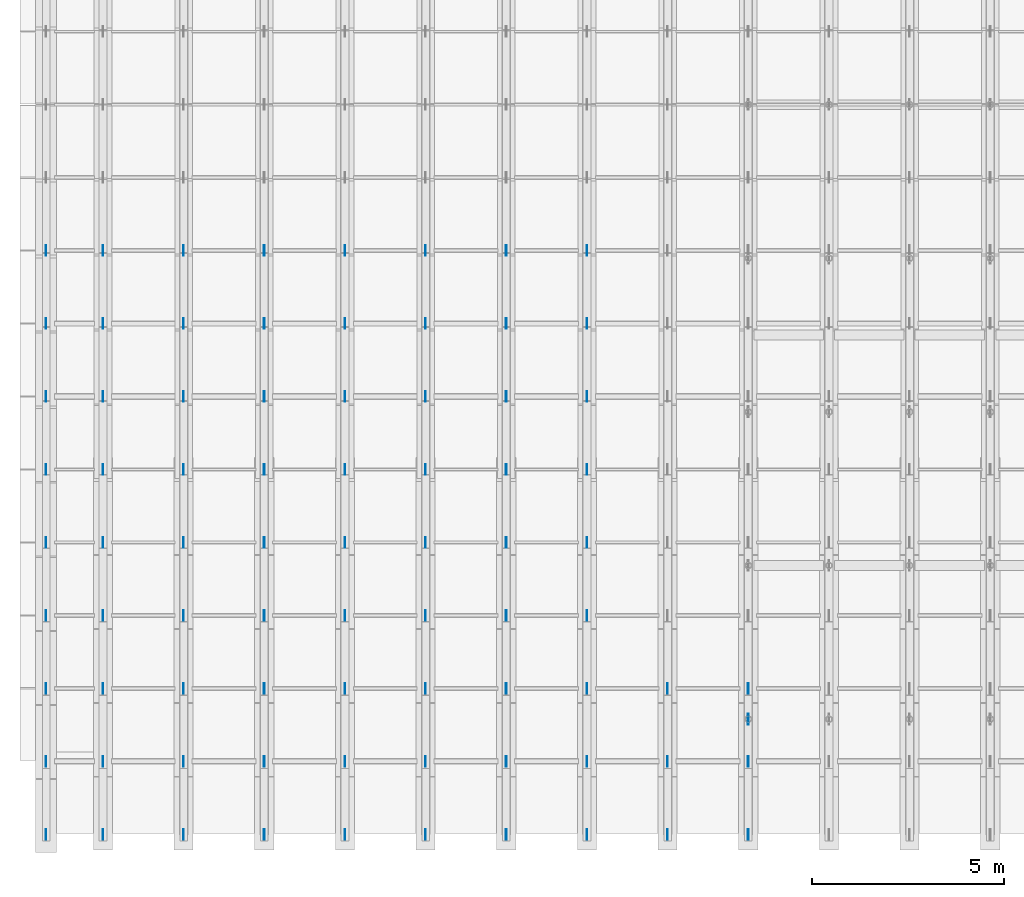
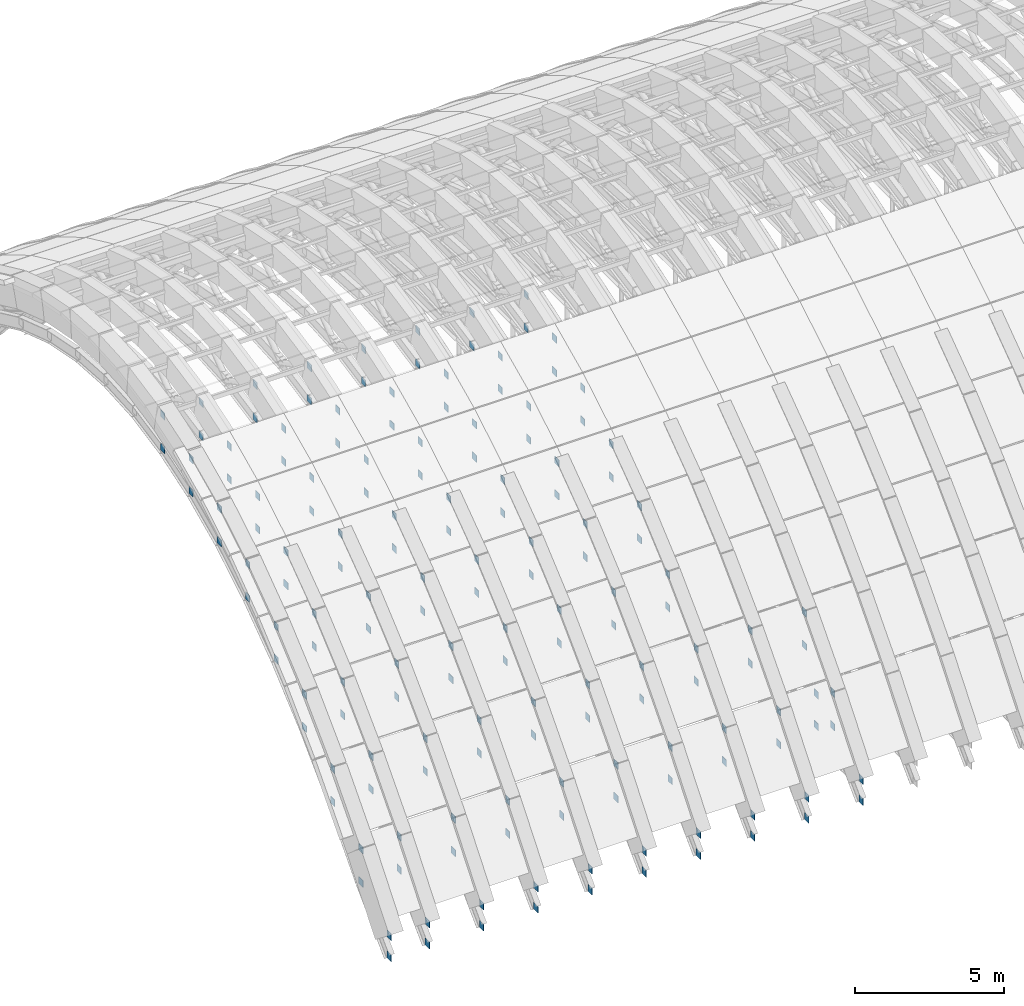
# One storey, part 58 of 67: 158 plates.
"""IFC4 building model written with IfcOpenShell, lengths in metres."""

from ifc_helpers import new_model, si_unit, direction, frame, origin, origin_2d, place, context, subcontext, project, spatial, rectangle, extrude, material, layer, layer_set, type_object, element, save


model = new_model("IFC4")

# Units and contexts
model_context = context("Model", 3, precision=1e-05, world=origin(), true_north=direction((0.0, 1.0)))
body_context = subcontext(model_context, "Body", "Model", "MODEL_VIEW")
ifc_project = project(units=[si_unit("LENGTHUNIT", "METRE"), si_unit("AREAUNIT", "SQUARE_METRE"), si_unit("VOLUMEUNIT", "CUBIC_METRE"), si_unit("PLANEANGLEUNIT", "RADIAN"), si_unit("MASSUNIT", "GRAM", prefix="KILO")], contexts=[model_context])

# Site, building, storey
site_placement = place(None, origin())
site = spatial("IfcSite", under=ifc_project, at=site_placement, CompositionType="ELEMENT")
building_placement = place(site_placement, origin())
building = spatial("IfcBuilding", under=site, at=building_placement, Name="Shengluoqiao Park Theatre", CompositionType="ELEMENT")
storey_placement = place(building_placement, frame((0.0, 0.0, 28.60009765625)))
storey = spatial("IfcBuildingStorey", under=building, at=storey_placement, Name="Roof", CompositionType="ELEMENT", Elevation=28.60009765625)

# Plates
ifc_material = material(Name="Steel Q355", Category="steel")
ifc_layer = layer(ifc_material, 0.013916015625, Name="Steel Q355")
ifc_layer_set = layer_set([ifc_layer], Name="Steel Q355")
plate_type = type_object("IfcPlateType", Name="STR-PLT-EC-280", PredefinedType="SHEET", material=ifc_layer_set)
for number, where, z_axis, x_axis, name in (
    (1, (45.02001953125, 76.0, -10.16015625), (0.0, 0.0, 1.0), (1.0, 0.0, 0.0), "Arch Truss Node Gusset Plate R01-U00"),
    (2, (45.02001953125, 76.0, -11.02001953125), (0.0, 0.0, 1.0), (1.0, 0.0, 0.0), "Arch Truss Node Gusset Plate R01-L00"),
    (3, (45.02001953125, 77.89990234375, -7.76611328125), (0.0, 0.0, 1.0), (1.0, 0.0, 0.0), "Arch Truss Node Gusset Plate R01-U01"),
    (4, (45.02001953125, 77.89990234375, -9.1259765625), (0.0, 0.0, 1.0), (1.0, 0.0, 0.0), "Arch Truss Node Gusset Plate R01-L01"),
    (5, (45.02001953125, 79.800048828125, -5.6240234375), (0.0, 0.0, 1.0), (1.0, 0.0, 0.0), "Arch Truss Node Gusset Plate R01-U02"),
    (6, (45.02001953125, 79.800048828125, -6.98388671875), (0.0, 0.0, 1.0), (1.0, 0.0, 0.0), "Arch Truss Node Gusset Plate R01-L02"),
    (7, (45.02001953125, 81.699951171875, -3.73388671875), (0.0, 0.0, 1.0), (1.0, 0.0, 0.0), "Arch Truss Node Gusset Plate R01-U03"),
    (8, (45.02001953125, 81.699951171875, -5.09423828125), (0.0, 0.0, 1.0), (1.0, 0.0, 0.0), "Arch Truss Node Gusset Plate R01-L03"),
    (9, (45.02001953125, 83.60009765625, -2.09619140625), (0.0, 0.0, 1.0), (1.0, 0.0, 0.0), "Arch Truss Node Gusset Plate R01-U04"),
    (10, (45.02001953125, 83.60009765625, -3.4560546875), (0.0, 0.0, 1.0), (1.0, 0.0, 0.0), "Arch Truss Node Gusset Plate R01-L04"),
    (11, (45.02001953125, 85.5, -0.7099609375), (0.0, 0.0, 1.0), (1.0, 0.0, 0.0), "Arch Truss Node Gusset Plate R01-U05"),
    (12, (45.02001953125, 85.5, -2.0703125), (0.0, 0.0, 1.0), (1.0, 0.0, 0.0), "Arch Truss Node Gusset Plate R01-L05"),
    (13, (45.02001953125, 87.39990234375, 0.423828125), (0.0, 0.0, 1.0), (1.0, 0.0, 0.0), "Arch Truss Node Gusset Plate R01-U06"),
    (14, (45.02001953125, 87.39990234375, -0.93603515625), (0.0, 0.0, 1.0), (1.0, 0.0, 0.0), "Arch Truss Node Gusset Plate R01-L06"),
    (15, (45.02001953125, 89.300048828125, 1.3056640625), (0.0, 0.0, 1.0), (1.0, 0.0, 0.0), "Arch Truss Node Gusset Plate R01-U07"),
    (16, (45.02001953125, 89.300048828125, -0.05419921875), (0.0, 0.0, 1.0), (1.0, 0.0, 0.0), "Arch Truss Node Gusset Plate R01-L07"),
    (17, (45.02001953125, 91.199951171875, 1.93603515625), (0.0, 0.0, 1.0), (1.0, 0.0, 0.0), "Arch Truss Node Gusset Plate R01-U08"),
    (18, (45.02001953125, 91.199951171875, 0.57568359375), (0.0, 0.0, 1.0), (1.0, 0.0, 0.0), "Arch Truss Node Gusset Plate R01-L08"),
    (19, (46.5, 76.0, -10.16015625), (0.0, 0.0, 1.0), (1.0, 0.0, 0.0), "Arch Truss Node Gusset Plate R02-U00"),
    (20, (46.5, 76.0, -11.02001953125), (0.0, 0.0, 1.0), (1.0, 0.0, 0.0), "Arch Truss Node Gusset Plate R02-L00"),
    (21, (46.5, 77.89990234375, -7.76611328125), (0.0, 0.0, 1.0), (1.0, 0.0, 0.0), "Arch Truss Node Gusset Plate R02-U01"),
    (22, (46.5, 77.89990234375, -9.1259765625), (0.0, 0.0, 1.0), (1.0, 0.0, 0.0), "Arch Truss Node Gusset Plate R02-L01"),
    (23, (46.5, 79.800048828125, -5.6240234375), (0.0, 0.0, 1.0), (1.0, 0.0, 0.0), "Arch Truss Node Gusset Plate R02-U02"),
    (24, (46.5, 79.800048828125, -6.98388671875), (0.0, 0.0, 1.0), (1.0, 0.0, 0.0), "Arch Truss Node Gusset Plate R02-L02"),
    (25, (46.5, 81.699951171875, -3.73388671875), (0.0, 0.0, 1.0), (1.0, 0.0, 0.0), "Arch Truss Node Gusset Plate R02-U03"),
    (26, (46.5, 81.699951171875, -5.09423828125), (0.0, 0.0, 1.0), (1.0, 0.0, 0.0), "Arch Truss Node Gusset Plate R02-L03"),
    (27, (46.5, 83.60009765625, -2.09619140625), (0.0, 0.0, 1.0), (1.0, 0.0, 0.0), "Arch Truss Node Gusset Plate R02-U04"),
    (28, (46.5, 83.60009765625, -3.4560546875), (0.0, 0.0, 1.0), (1.0, 0.0, 0.0), "Arch Truss Node Gusset Plate R02-L04"),
    (29, (46.5, 85.5, -0.7099609375), (0.0, 0.0, 1.0), (1.0, 0.0, 0.0), "Arch Truss Node Gusset Plate R02-U05"),
    (30, (46.5, 85.5, -2.0703125), (0.0, 0.0, 1.0), (1.0, 0.0, 0.0), "Arch Truss Node Gusset Plate R02-L05"),
    (31, (46.5, 87.39990234375, 0.423828125), (0.0, 0.0, 1.0), (1.0, 0.0, 0.0), "Arch Truss Node Gusset Plate R02-U06"),
    (32, (46.5, 87.39990234375, -0.93603515625), (0.0, 0.0, 1.0), (1.0, 0.0, 0.0), "Arch Truss Node Gusset Plate R02-L06"),
    (33, (46.5, 89.300048828125, 1.3056640625), (0.0, 0.0, 1.0), (1.0, 0.0, 0.0), "Arch Truss Node Gusset Plate R02-U07"),
    (34, (46.5, 89.300048828125, -0.05419921875), (0.0, 0.0, 1.0), (1.0, 0.0, 0.0), "Arch Truss Node Gusset Plate R02-L07"),
    (35, (46.5, 91.199951171875, 1.93603515625), (0.0, 0.0, 1.0), (1.0, 0.0, 0.0), "Arch Truss Node Gusset Plate R02-U08"),
    (36, (46.5, 91.199951171875, 0.57568359375), (0.0, 0.0, 1.0), (1.0, 0.0, 0.0), "Arch Truss Node Gusset Plate R02-L08"),
    (37, (48.60009765625, 76.0, -10.16015625), (0.0, 0.0, 1.0), (1.0, 0.0, 0.0), "Arch Truss Node Gusset Plate R03-U00"),
    (38, (48.60009765625, 76.0, -11.02001953125), (0.0, 0.0, 1.0), (1.0, 0.0, 0.0), "Arch Truss Node Gusset Plate R03-L00"),
    (39, (48.60009765625, 77.89990234375, -7.76611328125), (0.0, 0.0, 1.0), (1.0, 0.0, 0.0), "Arch Truss Node Gusset Plate R03-U01"),
    (40, (48.60009765625, 77.89990234375, -9.1259765625), (0.0, 0.0, 1.0), (1.0, 0.0, 0.0), "Arch Truss Node Gusset Plate R03-L01"),
    (41, (48.60009765625, 79.800048828125, -5.6240234375), (0.0, 0.0, 1.0), (1.0, 0.0, 0.0), "Arch Truss Node Gusset Plate R03-U02"),
    (42, (48.60009765625, 79.800048828125, -6.98388671875), (0.0, 0.0, 1.0), (1.0, 0.0, 0.0), "Arch Truss Node Gusset Plate R03-L02"),
    (43, (48.60009765625, 81.699951171875, -3.73388671875), (0.0, 0.0, 1.0), (1.0, 0.0, 0.0), "Arch Truss Node Gusset Plate R03-U03"),
    (44, (48.60009765625, 81.699951171875, -5.09423828125), (0.0, 0.0, 1.0), (1.0, 0.0, 0.0), "Arch Truss Node Gusset Plate R03-L03"),
    (45, (48.60009765625, 83.60009765625, -2.09619140625), (0.0, 0.0, 1.0), (1.0, 0.0, 0.0), "Arch Truss Node Gusset Plate R03-U04"),
    (46, (48.60009765625, 83.60009765625, -3.4560546875), (0.0, 0.0, 1.0), (1.0, 0.0, 0.0), "Arch Truss Node Gusset Plate R03-L04"),
    (47, (48.60009765625, 85.5, -0.7099609375), (0.0, 0.0, 1.0), (1.0, 0.0, 0.0), "Arch Truss Node Gusset Plate R03-U05"),
    (48, (48.60009765625, 85.5, -2.0703125), (0.0, 0.0, 1.0), (1.0, 0.0, 0.0), "Arch Truss Node Gusset Plate R03-L05"),
    (49, (48.60009765625, 87.39990234375, 0.423828125), (0.0, 0.0, 1.0), (1.0, 0.0, 0.0), "Arch Truss Node Gusset Plate R03-U06"),
    (50, (48.60009765625, 87.39990234375, -0.93603515625), (0.0, 0.0, 1.0), (1.0, 0.0, 0.0), "Arch Truss Node Gusset Plate R03-L06"),
    (51, (48.60009765625, 89.300048828125, 1.3056640625), (0.0, 0.0, 1.0), (1.0, 0.0, 0.0), "Arch Truss Node Gusset Plate R03-U07"),
    (52, (48.60009765625, 89.300048828125, -0.05419921875), (0.0, 0.0, 1.0), (1.0, 0.0, 0.0), "Arch Truss Node Gusset Plate R03-L07"),
    (53, (48.60009765625, 91.199951171875, 1.93603515625), (0.0, 0.0, 1.0), (1.0, 0.0, 0.0), "Arch Truss Node Gusset Plate R03-U08"),
    (54, (48.60009765625, 91.199951171875, 0.57568359375), (0.0, 0.0, 1.0), (1.0, 0.0, 0.0), "Arch Truss Node Gusset Plate R03-L08"),
    (55, (50.699951171875, 76.0, -10.16015625), (0.0, 0.0, 1.0), (1.0, 0.0, 0.0), "Arch Truss Node Gusset Plate R04-U00"),
    (56, (50.699951171875, 76.0, -11.02001953125), (0.0, 0.0, 1.0), (1.0, 0.0, 0.0), "Arch Truss Node Gusset Plate R04-L00"),
    (57, (50.699951171875, 77.89990234375, -7.76611328125), (0.0, 0.0, 1.0), (1.0, 0.0, 0.0), "Arch Truss Node Gusset Plate R04-U01"),
    (58, (50.699951171875, 77.89990234375, -9.1259765625), (0.0, 0.0, 1.0), (1.0, 0.0, 0.0), "Arch Truss Node Gusset Plate R04-L01"),
    (59, (50.699951171875, 79.800048828125, -5.6240234375), (0.0, 0.0, 1.0), (1.0, 0.0, 0.0), "Arch Truss Node Gusset Plate R04-U02"),
    (60, (50.699951171875, 79.800048828125, -6.98388671875), (0.0, 0.0, 1.0), (1.0, 0.0, 0.0), "Arch Truss Node Gusset Plate R04-L02"),
    (61, (50.699951171875, 81.699951171875, -3.73388671875), (0.0, 0.0, 1.0), (1.0, 0.0, 0.0), "Arch Truss Node Gusset Plate R04-U03"),
    (62, (50.699951171875, 81.699951171875, -5.09423828125), (0.0, 0.0, 1.0), (1.0, 0.0, 0.0), "Arch Truss Node Gusset Plate R04-L03"),
    (63, (50.699951171875, 83.60009765625, -2.09619140625), (0.0, 0.0, 1.0), (1.0, 0.0, 0.0), "Arch Truss Node Gusset Plate R04-U04"),
    (64, (50.699951171875, 83.60009765625, -3.4560546875), (0.0, 0.0, 1.0), (1.0, 0.0, 0.0), "Arch Truss Node Gusset Plate R04-L04"),
    (65, (50.699951171875, 85.5, -0.7099609375), (0.0, 0.0, 1.0), (1.0, 0.0, 0.0), "Arch Truss Node Gusset Plate R04-U05"),
    (66, (50.699951171875, 85.5, -2.0703125), (0.0, 0.0, 1.0), (1.0, 0.0, 0.0), "Arch Truss Node Gusset Plate R04-L05"),
    (67, (50.699951171875, 87.39990234375, 0.423828125), (0.0, 0.0, 1.0), (1.0, 0.0, 0.0), "Arch Truss Node Gusset Plate R04-U06"),
    (68, (50.699951171875, 87.39990234375, -0.93603515625), (0.0, 0.0, 1.0), (1.0, 0.0, 0.0), "Arch Truss Node Gusset Plate R04-L06"),
    (69, (50.699951171875, 89.300048828125, 1.3056640625), (0.0, 0.0, 1.0), (1.0, 0.0, 0.0), "Arch Truss Node Gusset Plate R04-U07"),
    (70, (50.699951171875, 89.300048828125, -0.05419921875), (0.0, 0.0, 1.0), (1.0, 0.0, 0.0), "Arch Truss Node Gusset Plate R04-L07"),
    (71, (50.699951171875, 91.199951171875, 1.93603515625), (0.0, 0.0, 1.0), (1.0, 0.0, 0.0), "Arch Truss Node Gusset Plate R04-U08"),
    (72, (50.699951171875, 91.199951171875, 0.57568359375), (0.0, 0.0, 1.0), (1.0, 0.0, 0.0), "Arch Truss Node Gusset Plate R04-L08"),
    (73, (52.800048828125, 76.0, -10.16015625), (0.0, 0.0, 1.0), (1.0, 0.0, 0.0), "Arch Truss Node Gusset Plate R05-U00"),
    (74, (52.800048828125, 76.0, -11.02001953125), (0.0, 0.0, 1.0), (1.0, 0.0, 0.0), "Arch Truss Node Gusset Plate R05-L00"),
    (75, (52.800048828125, 77.89990234375, -7.76611328125), (0.0, 0.0, 1.0), (1.0, 0.0, 0.0), "Arch Truss Node Gusset Plate R05-U01"),
    (76, (52.800048828125, 77.89990234375, -9.1259765625), (0.0, 0.0, 1.0), (1.0, 0.0, 0.0), "Arch Truss Node Gusset Plate R05-L01"),
    (77, (52.800048828125, 79.800048828125, -5.6240234375), (0.0, 0.0, 1.0), (1.0, 0.0, 0.0), "Arch Truss Node Gusset Plate R05-U02"),
    (78, (52.800048828125, 79.800048828125, -6.98388671875), (0.0, 0.0, 1.0), (1.0, 0.0, 0.0), "Arch Truss Node Gusset Plate R05-L02"),
    (79, (52.800048828125, 81.699951171875, -3.73388671875), (0.0, 0.0, 1.0), (1.0, 0.0, 0.0), "Arch Truss Node Gusset Plate R05-U03"),
    (80, (52.800048828125, 81.699951171875, -5.09423828125), (0.0, 0.0, 1.0), (1.0, 0.0, 0.0), "Arch Truss Node Gusset Plate R05-L03"),
    (81, (52.800048828125, 83.60009765625, -2.09619140625), (0.0, 0.0, 1.0), (1.0, 0.0, 0.0), "Arch Truss Node Gusset Plate R05-U04"),
    (82, (52.800048828125, 83.60009765625, -3.4560546875), (0.0, 0.0, 1.0), (1.0, 0.0, 0.0), "Arch Truss Node Gusset Plate R05-L04"),
    (83, (52.800048828125, 85.5, -0.7099609375), (0.0, 0.0, 1.0), (1.0, 0.0, 0.0), "Arch Truss Node Gusset Plate R05-U05"),
    (84, (52.800048828125, 85.5, -2.0703125), (0.0, 0.0, 1.0), (1.0, 0.0, 0.0), "Arch Truss Node Gusset Plate R05-L05"),
    (85, (52.800048828125, 87.39990234375, 0.423828125), (0.0, 0.0, 1.0), (1.0, 0.0, 0.0), "Arch Truss Node Gusset Plate R05-U06"),
    (86, (52.800048828125, 87.39990234375, -0.93603515625), (0.0, 0.0, 1.0), (1.0, 0.0, 0.0), "Arch Truss Node Gusset Plate R05-L06"),
    (87, (52.800048828125, 89.300048828125, 1.3056640625), (0.0, 0.0, 1.0), (1.0, 0.0, 0.0), "Arch Truss Node Gusset Plate R05-U07"),
    (88, (52.800048828125, 89.300048828125, -0.05419921875), (0.0, 0.0, 1.0), (1.0, 0.0, 0.0), "Arch Truss Node Gusset Plate R05-L07"),
    (89, (52.800048828125, 91.199951171875, 1.93603515625), (0.0, 0.0, 1.0), (1.0, 0.0, 0.0), "Arch Truss Node Gusset Plate R05-U08"),
    (90, (52.800048828125, 91.199951171875, 0.57568359375), (0.0, 0.0, 1.0), (1.0, 0.0, 0.0), "Arch Truss Node Gusset Plate R05-L08"),
    (91, (54.89990234375, 76.0, -10.16015625), (0.0, 0.0, 1.0), (1.0, 0.0, 0.0), "Arch Truss Node Gusset Plate R06-U00"),
    (92, (54.89990234375, 76.0, -11.02001953125), (0.0, 0.0, 1.0), (1.0, 0.0, 0.0), "Arch Truss Node Gusset Plate R06-L00"),
    (93, (54.89990234375, 77.89990234375, -7.76611328125), (0.0, 0.0, 1.0), (1.0, 0.0, 0.0), "Arch Truss Node Gusset Plate R06-U01"),
    (94, (54.89990234375, 77.89990234375, -9.1259765625), (0.0, 0.0, 1.0), (1.0, 0.0, 0.0), "Arch Truss Node Gusset Plate R06-L01"),
    (95, (54.89990234375, 79.800048828125, -5.6240234375), (0.0, 0.0, 1.0), (1.0, 0.0, 0.0), "Arch Truss Node Gusset Plate R06-U02"),
    (96, (54.89990234375, 79.800048828125, -6.98388671875), (0.0, 0.0, 1.0), (1.0, 0.0, 0.0), "Arch Truss Node Gusset Plate R06-L02"),
    (97, (54.89990234375, 81.699951171875, -3.73388671875), (0.0, 0.0, 1.0), (1.0, 0.0, 0.0), "Arch Truss Node Gusset Plate R06-U03"),
    (98, (54.89990234375, 81.699951171875, -5.09423828125), (0.0, 0.0, 1.0), (1.0, 0.0, 0.0), "Arch Truss Node Gusset Plate R06-L03"),
    (99, (54.89990234375, 83.60009765625, -2.09619140625), (0.0, 0.0, 1.0), (1.0, 0.0, 0.0), "Arch Truss Node Gusset Plate R06-U04"),
    (100, (54.89990234375, 83.60009765625, -3.4560546875), (0.0, 0.0, 1.0), (1.0, 0.0, 0.0), "Arch Truss Node Gusset Plate R06-L04"),
    (101, (54.89990234375, 85.5, -0.7099609375), (0.0, 0.0, 1.0), (1.0, 0.0, 0.0), "Arch Truss Node Gusset Plate R06-U05"),
    (102, (54.89990234375, 85.5, -2.0703125), (0.0, 0.0, 1.0), (1.0, 0.0, 0.0), "Arch Truss Node Gusset Plate R06-L05"),
    (103, (54.89990234375, 87.39990234375, 0.423828125), (0.0, 0.0, 1.0), (1.0, 0.0, 0.0), "Arch Truss Node Gusset Plate R06-U06"),
    (104, (54.89990234375, 87.39990234375, -0.93603515625), (0.0, 0.0, 1.0), (1.0, 0.0, 0.0), "Arch Truss Node Gusset Plate R06-L06"),
    (105, (54.89990234375, 89.300048828125, 1.3056640625), (0.0, 0.0, 1.0), (1.0, 0.0, 0.0), "Arch Truss Node Gusset Plate R06-U07"),
    (106, (54.89990234375, 89.300048828125, -0.05419921875), (0.0, 0.0, 1.0), (1.0, 0.0, 0.0), "Arch Truss Node Gusset Plate R06-L07"),
    (107, (54.89990234375, 91.199951171875, 1.93603515625), (0.0, 0.0, 1.0), (1.0, 0.0, 0.0), "Arch Truss Node Gusset Plate R06-U08"),
    (108, (54.89990234375, 91.199951171875, 0.57568359375), (0.0, 0.0, 1.0), (1.0, 0.0, 0.0), "Arch Truss Node Gusset Plate R06-L08"),
    (109, (57.0, 76.0, -10.16015625), (0.0, 0.0, 1.0), (1.0, 0.0, 0.0), "Arch Truss Node Gusset Plate R07-U00"),
    (110, (57.0, 76.0, -11.02001953125), (0.0, 0.0, 1.0), (1.0, 0.0, 0.0), "Arch Truss Node Gusset Plate R07-L00"),
    (111, (57.0, 77.89990234375, -7.76611328125), (0.0, 0.0, 1.0), (1.0, 0.0, 0.0), "Arch Truss Node Gusset Plate R07-U01"),
    (112, (57.0, 77.89990234375, -9.1259765625), (0.0, 0.0, 1.0), (1.0, 0.0, 0.0), "Arch Truss Node Gusset Plate R07-L01"),
    (113, (57.0, 79.800048828125, -5.6240234375), (0.0, 0.0, 1.0), (1.0, 0.0, 0.0), "Arch Truss Node Gusset Plate R07-U02"),
    (114, (57.0, 79.800048828125, -6.98388671875), (0.0, 0.0, 1.0), (1.0, 0.0, 0.0), "Arch Truss Node Gusset Plate R07-L02"),
    (115, (57.0, 81.699951171875, -3.73388671875), (0.0, 0.0, 1.0), (1.0, 0.0, 0.0), "Arch Truss Node Gusset Plate R07-U03"),
    (116, (57.0, 81.699951171875, -5.09423828125), (0.0, 0.0, 1.0), (1.0, 0.0, 0.0), "Arch Truss Node Gusset Plate R07-L03"),
    (117, (57.0, 83.60009765625, -2.09619140625), (0.0, 0.0, 1.0), (1.0, 0.0, 0.0), "Arch Truss Node Gusset Plate R07-U04"),
    (118, (57.0, 83.60009765625, -3.4560546875), (0.0, 0.0, 1.0), (1.0, 0.0, 0.0), "Arch Truss Node Gusset Plate R07-L04"),
    (119, (57.0, 85.5, -0.7099609375), (0.0, 0.0, 1.0), (1.0, 0.0, 0.0), "Arch Truss Node Gusset Plate R07-U05"),
    (120, (57.0, 85.5, -2.0703125), (0.0, 0.0, 1.0), (1.0, 0.0, 0.0), "Arch Truss Node Gusset Plate R07-L05"),
    (121, (57.0, 87.39990234375, 0.423828125), (0.0, 0.0, 1.0), (1.0, 0.0, 0.0), "Arch Truss Node Gusset Plate R07-U06"),
    (122, (57.0, 87.39990234375, -0.93603515625), (0.0, 0.0, 1.0), (1.0, 0.0, 0.0), "Arch Truss Node Gusset Plate R07-L06"),
    (123, (57.0, 89.300048828125, 1.3056640625), (0.0, 0.0, 1.0), (1.0, 0.0, 0.0), "Arch Truss Node Gusset Plate R07-U07"),
    (124, (57.0, 89.300048828125, -0.05419921875), (0.0, 0.0, 1.0), (1.0, 0.0, 0.0), "Arch Truss Node Gusset Plate R07-L07"),
    (125, (57.0, 91.199951171875, 1.93603515625), (0.0, 0.0, 1.0), (1.0, 0.0, 0.0), "Arch Truss Node Gusset Plate R07-U08"),
    (126, (57.0, 91.199951171875, 0.57568359375), (0.0, 0.0, 1.0), (1.0, 0.0, 0.0), "Arch Truss Node Gusset Plate R07-L08"),
    (127, (59.10009765625, 76.0, -10.16015625), (0.0, 0.0, 1.0), (1.0, 0.0, 0.0), "Arch Truss Node Gusset Plate R08-U00"),
    (128, (59.10009765625, 76.0, -11.02001953125), (0.0, 0.0, 1.0), (1.0, 0.0, 0.0), "Arch Truss Node Gusset Plate R08-L00"),
    (129, (59.10009765625, 77.89990234375, -7.76611328125), (0.0, 0.0, 1.0), (1.0, 0.0, 0.0), "Arch Truss Node Gusset Plate R08-U01"),
    (130, (59.10009765625, 77.89990234375, -9.1259765625), (0.0, 0.0, 1.0), (1.0, 0.0, 0.0), "Arch Truss Node Gusset Plate R08-L01"),
    (131, (59.10009765625, 79.800048828125, -5.6240234375), (0.0, 0.0, 1.0), (1.0, 0.0, 0.0), "Arch Truss Node Gusset Plate R08-U02"),
    (132, (59.10009765625, 79.800048828125, -6.98388671875), (0.0, 0.0, 1.0), (1.0, 0.0, 0.0), "Arch Truss Node Gusset Plate R08-L02"),
    (133, (59.10009765625, 81.699951171875, -3.73388671875), (0.0, 0.0, 1.0), (1.0, 0.0, 0.0), "Arch Truss Node Gusset Plate R08-U03"),
    (134, (59.10009765625, 81.699951171875, -5.09423828125), (0.0, 0.0, 1.0), (1.0, 0.0, 0.0), "Arch Truss Node Gusset Plate R08-L03"),
    (135, (59.10009765625, 83.60009765625, -2.09619140625), (0.0, 0.0, 1.0), (1.0, 0.0, 0.0), "Arch Truss Node Gusset Plate R08-U04"),
    (136, (59.10009765625, 83.60009765625, -3.4560546875), (0.0, 0.0, 1.0), (1.0, 0.0, 0.0), "Arch Truss Node Gusset Plate R08-L04"),
    (137, (59.10009765625, 85.5, -0.7099609375), (0.0, 0.0, 1.0), (1.0, 0.0, 0.0), "Arch Truss Node Gusset Plate R08-U05"),
    (138, (59.10009765625, 85.5, -2.0703125), (0.0, 0.0, 1.0), (1.0, 0.0, 0.0), "Arch Truss Node Gusset Plate R08-L05"),
    (139, (59.10009765625, 87.39990234375, 0.423828125), (0.0, 0.0, 1.0), (1.0, 0.0, 0.0), "Arch Truss Node Gusset Plate R08-U06"),
    (140, (59.10009765625, 87.39990234375, -0.93603515625), (0.0, 0.0, 1.0), (1.0, 0.0, 0.0), "Arch Truss Node Gusset Plate R08-L06"),
    (141, (59.10009765625, 89.300048828125, 1.3056640625), (0.0, 0.0, 1.0), (1.0, 0.0, 0.0), "Arch Truss Node Gusset Plate R08-U07"),
    (142, (59.10009765625, 89.300048828125, -0.05419921875), (0.0, 0.0, 1.0), (1.0, 0.0, 0.0), "Arch Truss Node Gusset Plate R08-L07"),
    (143, (59.10009765625, 91.199951171875, 1.93603515625), (0.0, 0.0, 1.0), (1.0, 0.0, 0.0), "Arch Truss Node Gusset Plate R08-U08"),
    (144, (59.10009765625, 91.199951171875, 0.57568359375), (0.0, 0.0, 1.0), (1.0, 0.0, 0.0), "Arch Truss Node Gusset Plate R08-L08"),
    (145, (61.199951171875, 76.0, -10.16015625), (0.0, 0.0, 1.0), (1.0, 0.0, 0.0), "Arch Truss Node Gusset Plate R09-U00"),
    (146, (61.199951171875, 76.0, -11.02001953125), (0.0, 0.0, 1.0), (1.0, 0.0, 0.0), "Arch Truss Node Gusset Plate R09-L00"),
    (147, (61.199951171875, 77.89990234375, -7.76611328125), (0.0, 0.0, 1.0), (1.0, 0.0, 0.0), "Arch Truss Node Gusset Plate R09-U01"),
    (148, (61.199951171875, 77.89990234375, -9.1259765625), (0.0, 0.0, 1.0), (1.0, 0.0, 0.0), "Arch Truss Node Gusset Plate R09-L01"),
    (149, (61.199951171875, 79.800048828125, -5.6240234375), (0.0, 0.0, 1.0), (1.0, 0.0, 0.0), "Arch Truss Node Gusset Plate R09-U02"),
    (150, (61.199951171875, 79.800048828125, -6.98388671875), (0.0, 0.0, 1.0), (1.0, 0.0, 0.0), "Arch Truss Node Gusset Plate R09-L02"),
    (151, (63.300048828125, 76.0, -10.16015625), (0.0, 0.0, 1.0), (1.0, 0.0, 0.0), "Arch Truss Node Gusset Plate R10-U00"),
    (152, (63.300048828125, 76.0, -11.02001953125), (0.0, 0.0, 1.0), (1.0, 0.0, 0.0), "Arch Truss Node Gusset Plate R10-L00"),
    (153, (63.300048828125, 77.89990234375, -7.76611328125), (0.0, 0.0, 1.0), (1.0, 0.0, 0.0), "Arch Truss Node Gusset Plate R10-U01"),
    (154, (63.300048828125, 77.89990234375, -9.1259765625), (0.0, 0.0, 1.0), (1.0, 0.0, 0.0), "Arch Truss Node Gusset Plate R10-L01"),
    (155, (63.300048828125, 79.800048828125, -5.6240234375), (0.0, 0.0, 1.0), (1.0, 0.0, 0.0), "Arch Truss Node Gusset Plate R10-U02"),
    (156, (63.300048828125, 79.800048828125, -6.98388671875), (0.0, 0.0, 1.0), (1.0, 0.0, 0.0), "Arch Truss Node Gusset Plate R10-L02"),
    (157, (63.300048828125, 79.0, -9.7900390625), (0.0, 0.0, 1.0), (1.0, 0.0, 0.0), "Tie Truss Node Gusset Plate R10-B00"),
    (158, (63.300048828125, 79.0, -8.490234375), (0.0, 0.0, 1.0), (1.0, 0.0, 0.0), "Tie Truss Node Gusset Plate R10-T00"),
):
    element("IfcPlate", number, at=place(storey_placement, frame(where, z_axis=z_axis, x_axis=x_axis)), inside=storey, type_object=plate_type, Name=name, PredefinedType="SHEET", context=body_context, shape_type="SweptSolid", body=[
        extrude(rectangle(XDim=0.01806640625, YDim=0.280029296875, at=origin_2d()), origin(), (0.0, 0.0, 1.0), 0.280029296875),
    ])

save(model, "model.ifc")
